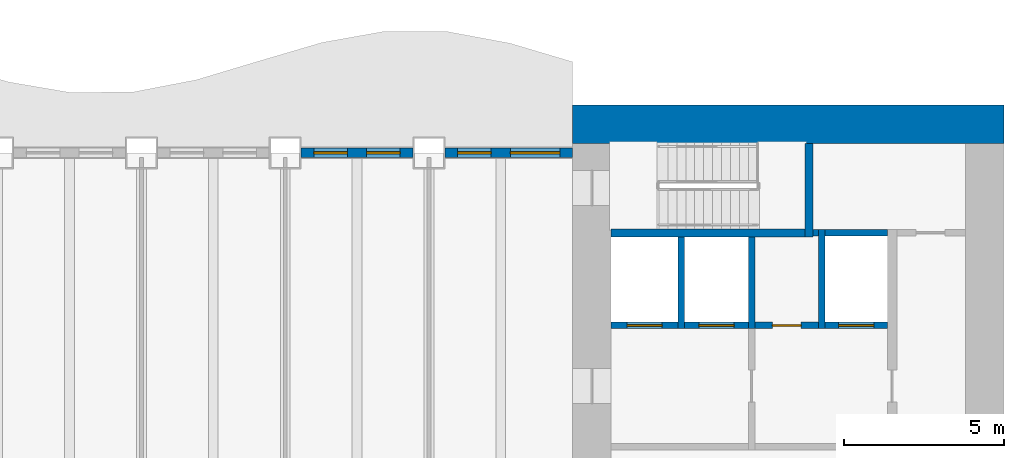
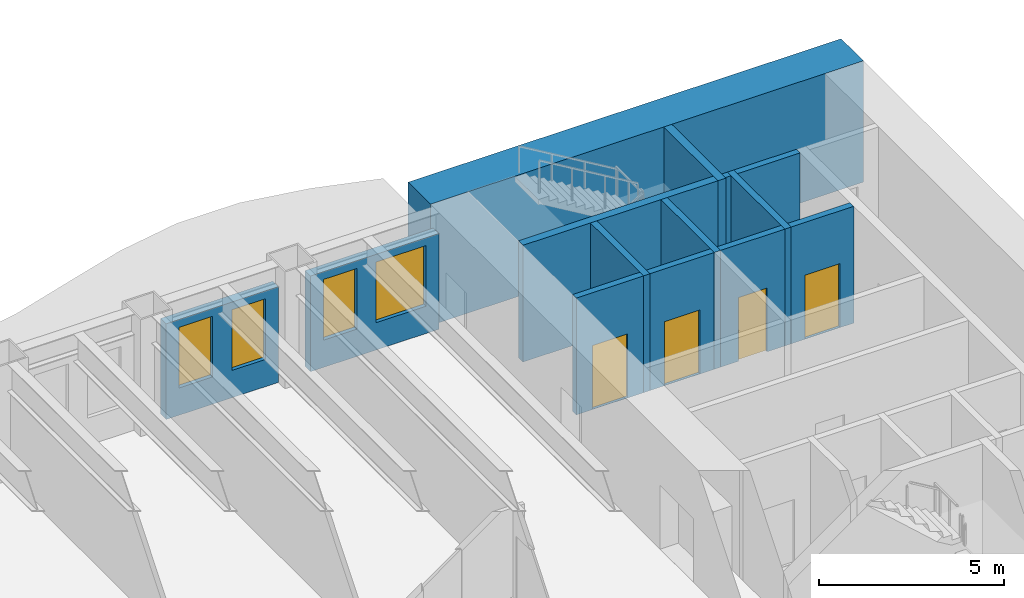
# One storey, part 7 of 16: 14 walls, 4 doors, 4 windows, 8 openings.
"""IFC4 building model written with IfcOpenShell, lengths in metres."""

from ifc_helpers import new_model, si_unit, direction, frame, frame_2d, origin, place, context, subcontext, project, spatial, rectangle, extrude, material, layer, layer_set, type_object, element, fill, save


model = new_model("IFC4")

# Units and contexts
model_context = context("Model", 3, precision=1e-05, world=origin(), true_north=direction((0.0, 1.0)))
body_context = subcontext(model_context, "Body", "Model", "MODEL_VIEW")
ifc_project = project(units=[si_unit("LENGTHUNIT", "METRE"), si_unit("AREAUNIT", "SQUARE_METRE"), si_unit("VOLUMEUNIT", "CUBIC_METRE"), si_unit("PLANEANGLEUNIT", "RADIAN"), si_unit("MASSUNIT", "GRAM", prefix="KILO")], contexts=[model_context])

# Site, building, storey
site_placement = place(None, origin())
site = spatial("IfcSite", under=ifc_project, at=site_placement, CompositionType="ELEMENT")
building_placement = place(site_placement, origin())
building = spatial("IfcBuilding", under=site, at=building_placement, Name="Sennacour Bend Tower", CompositionType="ELEMENT")
storey_placement = place(building_placement, frame((0.0, 0.0, 111.0)))
storey = spatial("IfcBuildingStorey", under=building, at=storey_placement, Name="L25", CompositionType="ELEMENT", Elevation=111.0)

# Wall
ifc_material_1 = material(Name="Concrete C80/95", Category="concrete")
ifc_layer_1 = layer(ifc_material_1, 1.199951171875, Name="Concrete C80/95", Category="concrete")
ifc_layer_set_1 = layer_set([ifc_layer_1], Name="Concrete C80/95")
wall_type_1 = type_object("IfcWallType", Name="Core wall 1200 C80/95", PredefinedType="SHEAR", material=ifc_layer_set_1)
wall_1_placement = place(storey_placement, frame((54.0, 21.89990234375, -0.14990234375), z_axis=(0.0, 0.0, 1.0), x_axis=(1.0, 0.0, 0.0)))
element("IfcWall", 1, at=wall_1_placement, inside=storey, type_object=wall_type_1, Name="Core A wall L25 N", PredefinedType="SHEAR", context=body_context, shape_type="SweptSolid", body=[
    extrude(rectangle(XDim=13.5, YDim=1.199951171875, at=frame_2d((6.75, 0.0))), origin(), (0.0, 0.0, 1.0), 4.0),
])

# Wall, opening, door
ifc_material_2 = material(Name="Fire-rated plasterboard partition on steel studs", Category="steel")
ifc_layer_2 = layer(ifc_material_2, 0.199951171875, Name="Fire-rated plasterboard partition on steel studs", Category="steel")
ifc_layer_set_2 = layer_set([ifc_layer_2], Name="Fire-rated plasterboard partition on steel studs")
wall_type_2 = type_object("IfcWallType", Name="Rated partition 200", PredefinedType="PARTITIONING", material=ifc_layer_set_2)
wall_2_placement = place(storey_placement, frame((59.699951171875, 15.60009765625, 0.0), z_axis=(0.0, 0.0, 1.0), x_axis=(1.0, 0.0, 0.0)))
wall_2 = element("IfcWall", 2, at=wall_2_placement, inside=storey, type_object=wall_type_2, Name="P-L25-W062", PredefinedType="PARTITIONING", context=body_context, shape_type="SweptSolid", body=[
    extrude(rectangle(XDim=2.0, YDim=0.199951171875, at=frame_2d((1.0, 0.0))), origin(), (0.0, 0.0, 1.0), 3.85009765625),
])
opening_1_placement = place(wall_2_placement, frame((0.550048828125, 0.0, 0.0)))
opening_1 = element("IfcOpeningElement", 3, at=opening_1_placement, cuts=wall_2, Name="Opening SV", PredefinedType="OPENING", context=body_context, shape_type="SweptSolid", body=[
    extrude(rectangle(XDim=0.89990234375, YDim=2.10009765625, at=frame_2d((0.449951171875, 1.050048828125))), frame((0.0, 0.10986328125, 0.0), z_axis=(0.0, -1.0, 0.0), x_axis=(1.0, 0.0, 0.0)), (0.0, 0.0, 1.0), 0.219970703125),
])
ifc_material_3 = material(Name="Painted steel", Category="steel")
door_type_1 = type_object("IfcDoorType", Name="DR-SERVICE-900", OperationType="NOTDEFINED", PredefinedType="DOOR", material=ifc_material_3)
door_1_placement = place(opening_1_placement, origin())
door_1 = element("IfcDoor", 4, at=door_1_placement, inside=storey, type_object=door_type_1, Name="Door", OperationType="SINGLE_SWING_RIGHT", OverallHeight=2.10009765625, OverallWidth=0.89990234375, PredefinedType="DOOR", context=body_context, shape_type="SweptSolid", body=[
    extrude(rectangle(XDim=0.89990234375, YDim=2.10009765625, at=frame_2d((0.449951171875, 1.050048828125))), frame((0.0, 0.02490234375, 0.0), z_axis=(0.0, -1.0, 0.0), x_axis=(1.0, 0.0, 0.0)), (0.0, 0.0, 1.0), 0.050048828125),
])
fill(opening_1, door_1)

# Wall
wall_3_placement = place(storey_placement, frame((61.52490234375, 18.5, 0.0), z_axis=(0.0, 0.0, 1.0), x_axis=(1.0, 0.0, 0.0)))
element("IfcWall", 5, at=wall_3_placement, inside=storey, type_object=wall_type_2, Name="P-L25-W065", PredefinedType="PARTITIONING", context=body_context, shape_type="SweptSolid", body=[
    extrude(rectangle(XDim=0.175048828125, YDim=0.199951171875, at=frame_2d((0.08740234375, 0.0))), origin(), (0.0, 0.0, 1.0), 3.85009765625),
])

# Wall, openings, windows
ifc_material_4 = material(Name="Warm limestone cladding", Category="masonry")
ifc_layer_3 = layer(ifc_material_4, 0.050048828125, Name="Warm limestone cladding", Category="masonry")
ifc_material_5 = material(Name="Precast concrete C40/50", Category="concrete")
ifc_layer_4 = layer(ifc_material_5, 0.25, Name="Precast concrete C40/50", Category="concrete")
ifc_layer_set_3 = layer_set([ifc_layer_3, ifc_layer_4], Name="Precast concrete C40/50 with limestone cladding")
wall_type_3 = type_object("IfcWallType", Name="STONE-CLAD PRECAST SPANDREL 300", PredefinedType="STANDARD", material=ifc_layer_set_3)
wall_4_placement = place(storey_placement, frame((54.0, 21.0, 0.0), z_axis=(0.0, 0.0, 1.0), x_axis=(-1.0, 0.0, 0.0)))
wall_4 = element("IfcWall", 6, at=wall_4_placement, inside=storey, type_object=wall_type_3, Name="Stone spandrel and pier wall L25 06.00", PredefinedType="STANDARD", context=body_context, shape_type="SweptSolid", body=[
    extrude(rectangle(XDim=4.0, YDim=0.300048828125, at=frame_2d((2.0, 0.0))), origin(), (0.0, 0.0, 1.0), 3.154052734375),
])
opening_2_placement = place(wall_4_placement, frame((0.39990234375, 0.0, 0.89990234375)))
opening_2 = element("IfcOpeningElement", 7, at=opening_2_placement, cuts=wall_4, Name="Opening W9", PredefinedType="OPENING", context=body_context, shape_type="SweptSolid", body=[
    extrude(rectangle(XDim=1.550048828125, YDim=2.0, at=frame_2d((0.77490234375, 1.0))), frame((0.0, 0.16015625, 0.0), z_axis=(0.0, -1.0, 0.0), x_axis=(1.0, 0.0, 0.0)), (0.0, 0.0, 1.0), 0.320068359375),
])
opening_3_placement = place(wall_4_placement, frame((2.550048828125, 0.0, 0.89990234375)))
opening_3 = element("IfcOpeningElement", 8, at=opening_3_placement, cuts=wall_4, Name="Opening W13", PredefinedType="OPENING", context=body_context, shape_type="SweptSolid", body=[
    extrude(rectangle(XDim=1.050048828125, YDim=2.0, at=frame_2d((0.52490234375, 1.0))), frame((0.0, 0.16015625, 0.0), z_axis=(0.0, -1.0, 0.0), x_axis=(1.0, 0.0, 0.0)), (0.0, 0.0, 1.0), 0.320068359375),
])
ifc_material_6 = material(Name="Clear low-emissivity glass", Category="glass")
window_type_1 = type_object("IfcWindowType", Name="WIN-RIBBON-1050x2000", PartitioningType="SINGLE_PANEL", PredefinedType="WINDOW", material=ifc_material_6)
window_1_placement = place(opening_3_placement, origin())
window_1 = element("IfcWindow", 9, at=window_1_placement, inside=storey, type_object=window_type_1, Name="Ribbon window L25 06.00.1", OverallHeight=2.0, OverallWidth=1.050048828125, PartitioningType="SINGLE_PANEL", PredefinedType="WINDOW", context=body_context, shape_type="SweptSolid", body=[
    extrude(rectangle(XDim=1.050048828125, YDim=2.0, at=frame_2d((0.52490234375, 1.0))), frame((0.0, 0.030029296875, 0.0), z_axis=(0.0, -1.0, 0.0), x_axis=(1.0, 0.0, 0.0)), (0.0, 0.0, 1.0), 0.06005859375),
])
fill(opening_3, window_1)
window_type_2 = type_object("IfcWindowType", Name="WIN-RIBBON-1550x2000", PartitioningType="SINGLE_PANEL", PredefinedType="WINDOW", material=ifc_material_6)
window_2_placement = place(opening_2_placement, origin())
window_2 = element("IfcWindow", 10, at=window_2_placement, inside=storey, type_object=window_type_2, Name="Ribbon window L25 06.00.0", OverallHeight=2.0, OverallWidth=1.550048828125, PartitioningType="SINGLE_PANEL", PredefinedType="WINDOW", context=body_context, shape_type="SweptSolid", body=[
    extrude(rectangle(XDim=1.550048828125, YDim=2.0, at=frame_2d((0.77490234375, 1.0))), frame((0.0, 0.030029296875, 0.0), z_axis=(0.0, -1.0, 0.0), x_axis=(1.0, 0.0, 0.0)), (0.0, 0.0, 1.0), 0.06005859375),
])
fill(opening_2, window_2)

wall_5_placement = place(storey_placement, frame((49.0, 21.0, 0.0), z_axis=(0.0, 0.0, 1.0), x_axis=(-1.0, 0.0, 0.0)))
wall_5 = element("IfcWall", 11, at=wall_5_placement, inside=storey, type_object=wall_type_3, Name="Stone spandrel and pier wall L25 06.01", PredefinedType="STANDARD", context=body_context, shape_type="SweptSolid", body=[
    extrude(rectangle(XDim=3.5, YDim=0.300048828125, at=frame_2d((1.75, 0.0))), origin(), (0.0, 0.0, 1.0), 3.154052734375),
])
opening_4_placement = place(wall_5_placement, frame((0.39990234375, 0.0, 0.89990234375)))
opening_4 = element("IfcOpeningElement", 12, at=opening_4_placement, cuts=wall_5, Name="Opening W13", PredefinedType="OPENING", context=body_context, shape_type="SweptSolid", body=[
    extrude(rectangle(XDim=1.050048828125, YDim=2.0, at=frame_2d((0.52490234375, 1.0))), frame((0.0, 0.16015625, 0.0), z_axis=(0.0, -1.0, 0.0), x_axis=(1.0, 0.0, 0.0)), (0.0, 0.0, 1.0), 0.320068359375),
])
opening_5_placement = place(wall_5_placement, frame((2.050048828125, 0.0, 0.89990234375)))
opening_5 = element("IfcOpeningElement", 13, at=opening_5_placement, cuts=wall_5, Name="Opening W13", PredefinedType="OPENING", context=body_context, shape_type="SweptSolid", body=[
    extrude(rectangle(XDim=1.050048828125, YDim=2.0, at=frame_2d((0.52490234375, 1.0))), frame((0.0, 0.16015625, 0.0), z_axis=(0.0, -1.0, 0.0), x_axis=(1.0, 0.0, 0.0)), (0.0, 0.0, 1.0), 0.320068359375),
])
window_3_placement = place(opening_4_placement, origin())
window_3 = element("IfcWindow", 14, at=window_3_placement, inside=storey, type_object=window_type_1, Name="Ribbon window L25 06.01.0", OverallHeight=2.0, OverallWidth=1.050048828125, PartitioningType="SINGLE_PANEL", PredefinedType="WINDOW", context=body_context, shape_type="SweptSolid", body=[
    extrude(rectangle(XDim=1.050048828125, YDim=2.0, at=frame_2d((0.52490234375, 1.0))), frame((0.0, 0.030029296875, 0.0), z_axis=(0.0, -1.0, 0.0), x_axis=(1.0, 0.0, 0.0)), (0.0, 0.0, 1.0), 0.06005859375),
])
fill(opening_4, window_3)
window_4_placement = place(opening_5_placement, origin())
window_4 = element("IfcWindow", 15, at=window_4_placement, inside=storey, type_object=window_type_1, Name="Ribbon window L25 06.01.1", OverallHeight=2.0, OverallWidth=1.050048828125, PartitioningType="SINGLE_PANEL", PredefinedType="WINDOW", context=body_context, shape_type="SweptSolid", body=[
    extrude(rectangle(XDim=1.050048828125, YDim=2.0, at=frame_2d((0.52490234375, 1.0))), frame((0.0, 0.030029296875, 0.0), z_axis=(0.0, -1.0, 0.0), x_axis=(1.0, 0.0, 0.0)), (0.0, 0.0, 1.0), 0.06005859375),
])
fill(opening_5, window_4)

# Walls
ifc_material_7 = material(Name="Concrete C50/60", Category="concrete")
ifc_layer_5 = layer(ifc_material_7, 0.199951171875, Name="Concrete C50/60", Category="concrete")
ifc_layer_set_4 = layer_set([ifc_layer_5], Name="Concrete C50/60")
wall_type_4 = type_object("IfcWallType", Name="Shaft wall 200", PredefinedType="SOLIDWALL", material=ifc_layer_set_4)
for number, where, z_axis, x_axis, name in (
    (16, (57.39990234375, 15.5, 0.0), (0.0, 0.0, 1.0), (0.0, 1.0, 0.0), "P-L25-W036"),
    (17, (59.60009765625, 15.5, 0.0), (0.0, 0.0, 1.0), (0.0, 1.0, 0.0), "P-L25-W039"),
):
    element("IfcWall", number, at=place(storey_placement, frame(where, z_axis=z_axis, x_axis=x_axis)), inside=storey, type_object=wall_type_4, Name=name, PredefinedType="SOLIDWALL", context=body_context, shape_type="SweptSolid", body=[
        extrude(rectangle(XDim=2.875, YDim=0.199951171875, at=frame_2d((1.4375, 0.0))), origin(), (0.0, 0.0, 1.0), 3.85009765625),
    ])
wall_6_placement = place(storey_placement, frame((61.800048828125, 15.5, 0.0), z_axis=(0.0, 0.0, 1.0), x_axis=(0.0, 1.0, 0.0)))
element("IfcWall", 18, at=wall_6_placement, inside=storey, type_object=wall_type_4, Name="P-L25-W043", PredefinedType="SOLIDWALL", context=body_context, shape_type="SweptSolid", body=[
    extrude(rectangle(XDim=3.10009765625, YDim=0.199951171875, at=frame_2d((1.550048828125, 0.0))), origin(), (0.0, 0.0, 1.0), 3.85009765625),
])

# Wall, opening, door
wall_7_placement = place(storey_placement, frame((55.199951171875, 15.60009765625, 0.0), z_axis=(0.0, 0.0, 1.0), x_axis=(1.0, 0.0, 0.0)))
wall_7 = element("IfcWall", 19, at=wall_7_placement, inside=storey, type_object=wall_type_4, Name="P-L25-W061a", PredefinedType="SOLIDWALL", context=body_context, shape_type="SweptSolid", body=[
    extrude(rectangle(XDim=2.10009765625, YDim=0.199951171875, at=frame_2d((1.050048828125, 0.0))), origin(), (0.0, 0.0, 1.0), 3.85009765625),
])
opening_6_placement = place(wall_7_placement, frame((0.5, 0.0, 0.011962890625)))
opening_6 = element("IfcOpeningElement", 20, at=opening_6_placement, cuts=wall_7, Name="Opening FLD", PredefinedType="OPENING", context=body_context, shape_type="SweptSolid", body=[
    extrude(rectangle(XDim=1.10009765625, YDim=2.10009765625, at=frame_2d((0.550048828125, 1.050048828125))), frame((0.0, 0.10986328125, 0.0), z_axis=(0.0, -1.0, 0.0), x_axis=(1.0, 0.0, 0.0)), (0.0, 0.0, 1.0), 0.219970703125),
])
ifc_material_8 = material(Name="Stainless steel", Category="steel")
door_type_2 = type_object("IfcDoorType", Name="DR-FF-LANDING-1100", OperationType="NOTDEFINED", PredefinedType="DOOR", material=ifc_material_8)
door_2_placement = place(opening_6_placement, origin())
door_2 = element("IfcDoor", 21, at=door_2_placement, inside=storey, type_object=door_type_2, Name="Fire service lift landing door FA1", OperationType="SLIDING_TO_LEFT", OverallHeight=2.10009765625, OverallWidth=1.10009765625, PredefinedType="DOOR", context=body_context, shape_type="SweptSolid", body=[
    extrude(rectangle(XDim=1.10009765625, YDim=2.10009765625, at=frame_2d((0.550048828125, 1.050048828125))), frame((0.0, 0.02490234375, 0.0), z_axis=(0.0, -1.0, 0.0), x_axis=(1.0, 0.0, 0.0)), (0.0, 0.0, 1.0), 0.050048828125),
])
fill(opening_6, door_2)

wall_8_placement = place(storey_placement, frame((57.5, 15.60009765625, 0.0), z_axis=(0.0, 0.0, 1.0), x_axis=(1.0, 0.0, 0.0)))
wall_8 = element("IfcWall", 22, at=wall_8_placement, inside=storey, type_object=wall_type_4, Name="P-L25-W061b", PredefinedType="SOLIDWALL", context=body_context, shape_type="SweptSolid", body=[
    extrude(rectangle(XDim=2.0, YDim=0.199951171875, at=frame_2d((1.0, 0.0))), origin(), (0.0, 0.0, 1.0), 3.85009765625),
])
opening_7_placement = place(wall_8_placement, frame((0.449951171875, 0.0, 0.011962890625)))
opening_7 = element("IfcOpeningElement", 23, at=opening_7_placement, cuts=wall_8, Name="Opening FLD", PredefinedType="OPENING", context=body_context, shape_type="SweptSolid", body=[
    extrude(rectangle(XDim=1.10009765625, YDim=2.10009765625, at=frame_2d((0.550048828125, 1.050048828125))), frame((0.0, 0.10986328125, 0.0), z_axis=(0.0, -1.0, 0.0), x_axis=(1.0, 0.0, 0.0)), (0.0, 0.0, 1.0), 0.219970703125),
])
door_3_placement = place(opening_7_placement, origin())
door_3 = element("IfcDoor", 24, at=door_3_placement, inside=storey, type_object=door_type_2, Name="Fire service lift landing door FA2", OperationType="SLIDING_TO_RIGHT", OverallHeight=2.10009765625, OverallWidth=1.10009765625, PredefinedType="DOOR", context=body_context, shape_type="SweptSolid", body=[
    extrude(rectangle(XDim=1.10009765625, YDim=2.10009765625, at=frame_2d((0.550048828125, 1.050048828125))), frame((0.0, 0.02490234375, 0.0), z_axis=(0.0, -1.0, 0.0), x_axis=(1.0, 0.0, 0.0)), (0.0, 0.0, 1.0), 0.050048828125),
])
fill(opening_7, door_3)

wall_9_placement = place(storey_placement, frame((61.89990234375, 15.60009765625, 0.0), z_axis=(0.0, 0.0, 1.0), x_axis=(1.0, 0.0, 0.0)))
wall_9 = element("IfcWall", 25, at=wall_9_placement, inside=storey, type_object=wall_type_4, Name="P-L25-W063", PredefinedType="SOLIDWALL", context=body_context, shape_type="SweptSolid", body=[
    extrude(rectangle(XDim=1.9501953125, YDim=0.199951171875, at=frame_2d((0.97509765625, 0.0))), origin(), (0.0, 0.0, 1.0), 3.85009765625),
])
opening_8_placement = place(wall_9_placement, frame((0.425048828125, 0.0, 0.011962890625)))
opening_8 = element("IfcOpeningElement", 26, at=opening_8_placement, cuts=wall_9, Name="Opening LD", PredefinedType="OPENING", context=body_context, shape_type="SweptSolid", body=[
    extrude(rectangle(XDim=1.10009765625, YDim=2.10009765625, at=frame_2d((0.550048828125, 1.050048828125))), frame((0.0, 0.10986328125, 0.0), z_axis=(0.0, -1.0, 0.0), x_axis=(1.0, 0.0, 0.0)), (0.0, 0.0, 1.0), 0.219970703125),
])
door_type_3 = type_object("IfcDoorType", Name="DR-LANDING-1100", OperationType="NOTDEFINED", PredefinedType="DOOR", material=ifc_material_8)
door_4_placement = place(opening_8_placement, origin())
door_4 = element("IfcDoor", 27, at=door_4_placement, inside=storey, type_object=door_type_3, Name="Lift landing door LA5", OperationType="SLIDING_TO_LEFT", OverallHeight=2.10009765625, OverallWidth=1.10009765625, PredefinedType="DOOR", context=body_context, shape_type="SweptSolid", body=[
    extrude(rectangle(XDim=1.10009765625, YDim=2.10009765625, at=frame_2d((0.550048828125, 1.050048828125))), frame((0.0, 0.02490234375, 0.0), z_axis=(0.0, -1.0, 0.0), x_axis=(1.0, 0.0, 0.0)), (0.0, 0.0, 1.0), 0.050048828125),
])
fill(opening_8, door_4)

# Walls
wall_10_placement = place(storey_placement, frame((61.89990234375, 18.5, 0.0), z_axis=(0.0, 0.0, 1.0), x_axis=(1.0, 0.0, 0.0)))
element("IfcWall", 28, at=wall_10_placement, inside=storey, type_object=wall_type_4, Name="P-L25-W066", PredefinedType="SOLIDWALL", context=body_context, shape_type="SweptSolid", body=[
    extrude(rectangle(XDim=1.9501953125, YDim=0.199951171875, at=frame_2d((0.97509765625, 0.0))), origin(), (0.0, 0.0, 1.0), 3.85009765625),
])
ifc_material_9 = material(Name="Concrete C60/75", Category="concrete")
ifc_layer_6 = layer(ifc_material_9, 0.25, Name="Concrete C60/75", Category="concrete")
ifc_layer_set_5 = layer_set([ifc_layer_6], Name="Concrete C60/75")
wall_type_5 = type_object("IfcWallType", Name="Stair wall 250", PredefinedType="SHEAR", material=ifc_layer_set_5)
wall_11_placement = place(storey_placement, frame((61.39990234375, 18.375, 0.0), z_axis=(0.0, 0.0, 1.0), x_axis=(0.0, 1.0, 0.0)))
element("IfcWall", 29, at=wall_11_placement, inside=storey, type_object=wall_type_5, Name="P-L25-W041", PredefinedType="SHEAR", context=body_context, shape_type="SweptSolid", body=[
    extrude(rectangle(XDim=2.925048828125, YDim=0.25, at=frame_2d((1.46240234375, 0.0))), origin(), (0.0, 0.0, 1.0), 3.85009765625),
])
wall_12_placement = place(storey_placement, frame((55.199951171875, 18.5, 0.0), z_axis=(0.0, 0.0, 1.0), x_axis=(1.0, 0.0, 0.0)))
element("IfcWall", 30, at=wall_12_placement, inside=storey, type_object=wall_type_5, Name="P-L25-W064", PredefinedType="SHEAR", context=body_context, shape_type="SweptSolid", body=[
    extrude(rectangle(XDim=6.074951171875, YDim=0.25, at=frame_2d((3.03759765625, 0.0))), origin(), (0.0, 0.0, 1.0), 3.85009765625),
])

save(model, "model.ifc")
